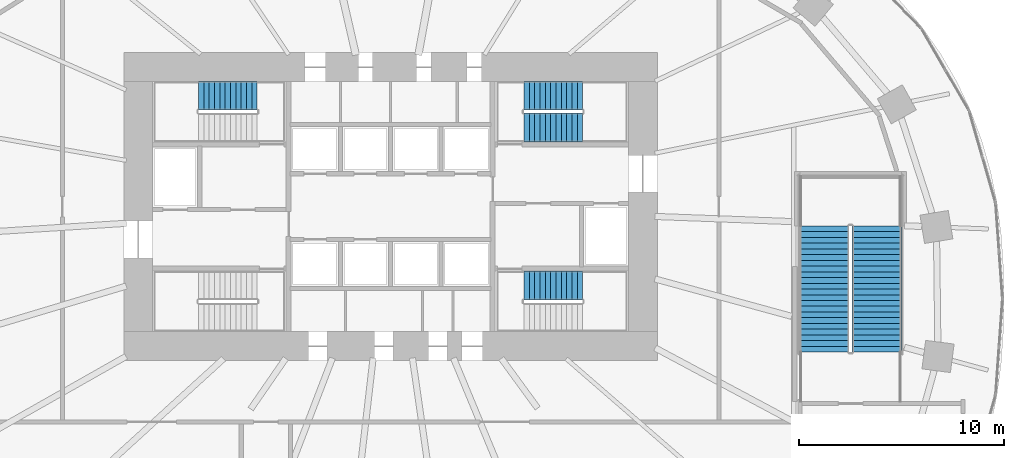
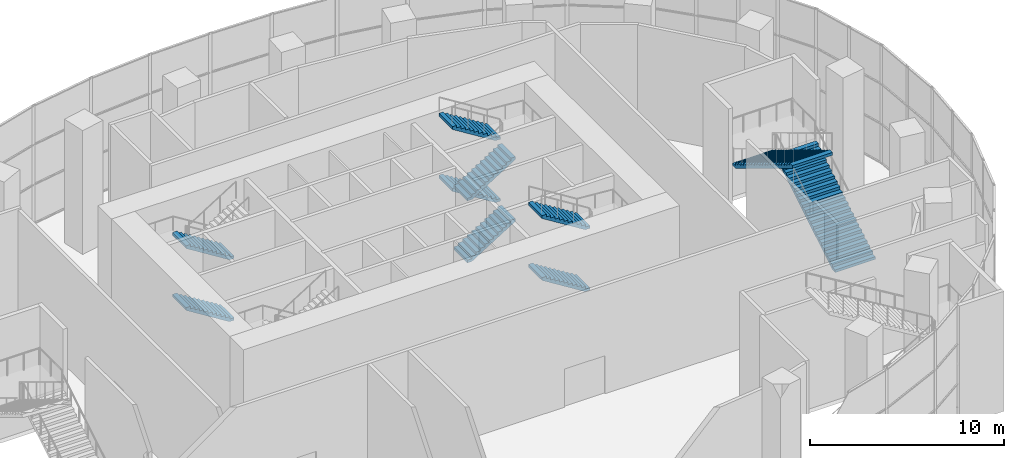
# One storey, part 17 of 22: 10 stair flights, 4 elements without a shape of their own.
"""IFC4 building model written with IfcOpenShell, lengths in metres."""

from ifc_helpers import new_model, si_unit, direction, frame, origin, place, context, subcontext, project, spatial, polyline, outline, extrude, material, type_object, element, aggregate, save


model = new_model("IFC4")

# Units and contexts
model_context = context("Model", 3, precision=1e-05, world=origin(), true_north=direction((0.0, 1.0)))
body_context = subcontext(model_context, "Body", "Model", "MODEL_VIEW")
ifc_project = project(units=[si_unit("LENGTHUNIT", "METRE"), si_unit("AREAUNIT", "SQUARE_METRE"), si_unit("VOLUMEUNIT", "CUBIC_METRE"), si_unit("PLANEANGLEUNIT", "RADIAN"), si_unit("MASSUNIT", "GRAM", prefix="KILO")], contexts=[model_context])

# Site, building, storey
site_placement = place(None, origin())
site = spatial("IfcSite", under=ifc_project, at=site_placement, CompositionType="ELEMENT")
building_placement = place(site_placement, origin())
building = spatial("IfcBuilding", under=site, at=building_placement, Name="Rubra Terraces Tower", CompositionType="ELEMENT")
storey_placement = place(building_placement, frame((0.0, 0.0, 15.0)))
storey = spatial("IfcBuildingStorey", under=building, at=storey_placement, Name="L02", CompositionType="ELEMENT", Elevation=15.0)

# Stair, stair flights
ifc_material_1 = material(Name="Concrete C40", Category="concrete")
stair_type_1 = type_object("IfcStairType", Name="Core stair 1400", PredefinedType="HALF_TURN_STAIR", material=ifc_material_1)
stair_1_placement = place(storey_placement, origin())
stair_1 = element("IfcStair", 1, at=stair_1_placement, inside=storey, type_object=stair_type_1, Name="L02 Exit stair S2", PredefinedType="HALF_TURN_STAIR")
stair_flight_type_1 = type_object("IfcStairFlightType", Name="Core stair flight 1400", PredefinedType="STRAIGHT", material=ifc_material_1)
stair_flight_1_placement = place(storey_placement, frame((-6.5, 9.89990234375, 0.0), z_axis=(0.0, 0.0, 1.0), x_axis=(-1.0, 0.0, 0.0)))
stair_flight_1 = element("IfcStairFlight", 2, at=stair_flight_1_placement, type_object=stair_flight_type_1, Name="S2 flight 1", NumberOfRisers=12, NumberOfTreads=11, PredefinedType="STRAIGHT", RiserHeight=0.1625, TreadLength=0.26, context=body_context, shape_type="SweptSolid", body=[
    extrude(outline(polyline([(0.0, 0.0), (0.0, 0.16259765625), (0.260009765625, 0.16259765625), (0.260009765625, 0.324951171875), (0.52001953125, 0.324951171875), (0.52001953125, 0.487548828125), (0.780029296875, 0.487548828125), (0.780029296875, 0.64990234375), (1.0400390625, 0.64990234375), (1.0400390625, 0.8125), (1.300048828125, 0.8125), (1.300048828125, 0.97509765625), (1.56005859375, 0.97509765625), (1.56005859375, 1.137451171875), (1.820068359375, 1.137451171875), (1.820068359375, 1.300048828125), (2.080078125, 1.300048828125), (2.080078125, 1.46240234375), (2.340087890625, 1.46240234375), (2.340087890625, 1.625), (2.60009765625, 1.625), (2.60009765625, 1.78759765625), (2.860107421875, 1.78759765625), (2.860107421875, 1.949951171875), (2.860107421875, 1.61083984375), (0.28271484375, 0.0), (0.0, 0.0)])), frame((0.0, 0.699951171875, 0.0), z_axis=(0.0, -1.0, 0.0), x_axis=(1.0, 0.0, 0.0)), (0.0, 0.0, 1.0), 1.39990234375),
])
stair_flight_2_placement = place(storey_placement, frame((-6.5, 9.89990234375, 3.89990234375), z_axis=(0.0, 0.0, 1.0), x_axis=(-1.0, 0.0, 0.0)))
stair_flight_2 = element("IfcStairFlight", 3, at=stair_flight_2_placement, type_object=stair_flight_type_1, Name="S2 flight 3", NumberOfRisers=12, NumberOfTreads=11, PredefinedType="STRAIGHT", RiserHeight=0.1625, TreadLength=0.26, context=body_context, shape_type="SweptSolid", body=[
    extrude(outline(polyline([(0.0, 0.0), (0.0, 0.16259765625), (0.260009765625, 0.16259765625), (0.260009765625, 0.324951171875), (0.52001953125, 0.324951171875), (0.52001953125, 0.487548828125), (0.780029296875, 0.487548828125), (0.780029296875, 0.64990234375), (1.0400390625, 0.64990234375), (1.0400390625, 0.8125), (1.300048828125, 0.8125), (1.300048828125, 0.97509765625), (1.56005859375, 0.97509765625), (1.56005859375, 1.137451171875), (1.820068359375, 1.137451171875), (1.820068359375, 1.300048828125), (2.080078125, 1.300048828125), (2.080078125, 1.46240234375), (2.340087890625, 1.46240234375), (2.340087890625, 1.625), (2.60009765625, 1.625), (2.60009765625, 1.78759765625), (2.860107421875, 1.78759765625), (2.860107421875, 1.949951171875), (2.860107421875, 1.61083984375), (0.28271484375, 0.0), (0.0, 0.0)])), frame((0.0, 0.699951171875, 0.0), z_axis=(0.0, -1.0, 0.0), x_axis=(1.0, 0.0, 0.0)), (0.0, 0.0, 1.0), 1.39990234375),
])
aggregate(stair_1, [stair_flight_1, stair_flight_2])

stair_2_placement = place(storey_placement, origin())
stair_2 = element("IfcStair", 4, at=stair_2_placement, inside=storey, type_object=stair_type_1, Name="L02 Exit stair S3", PredefinedType="HALF_TURN_STAIR")
stair_flight_3_placement = place(storey_placement, frame((6.5, 8.35009765625, 0.0), z_axis=(0.0, 0.0, 1.0), x_axis=(1.0, 0.0, 0.0)))
stair_flight_3 = element("IfcStairFlight", 5, at=stair_flight_3_placement, type_object=stair_flight_type_1, Name="S3 flight 1", NumberOfRisers=12, NumberOfTreads=11, PredefinedType="STRAIGHT", RiserHeight=0.1625, TreadLength=0.26, context=body_context, shape_type="SweptSolid", body=[
    extrude(outline(polyline([(0.0, 0.0), (0.0, 0.16259765625), (0.260009765625, 0.16259765625), (0.260009765625, 0.324951171875), (0.52001953125, 0.324951171875), (0.52001953125, 0.487548828125), (0.780029296875, 0.487548828125), (0.780029296875, 0.64990234375), (1.0400390625, 0.64990234375), (1.0400390625, 0.8125), (1.300048828125, 0.8125), (1.300048828125, 0.97509765625), (1.56005859375, 0.97509765625), (1.56005859375, 1.137451171875), (1.820068359375, 1.137451171875), (1.820068359375, 1.300048828125), (2.080078125, 1.300048828125), (2.080078125, 1.46240234375), (2.340087890625, 1.46240234375), (2.340087890625, 1.625), (2.60009765625, 1.625), (2.60009765625, 1.78759765625), (2.860107421875, 1.78759765625), (2.860107421875, 1.949951171875), (2.860107421875, 1.61083984375), (0.28271484375, 0.0), (0.0, 0.0)])), frame((0.0, 0.699951171875, 0.0), z_axis=(0.0, -1.0, 0.0), x_axis=(1.0, 0.0, 0.0)), (0.0, 0.0, 1.0), 1.39990234375),
])
stair_flight_4_placement = place(storey_placement, frame((9.360107421875, 9.89990234375, 1.949951171875), z_axis=(0.0, 0.0, 1.0), x_axis=(-1.0, 0.0, 0.0)))
stair_flight_4 = element("IfcStairFlight", 6, at=stair_flight_4_placement, type_object=stair_flight_type_1, Name="S3 flight 2", NumberOfRisers=12, NumberOfTreads=11, PredefinedType="STRAIGHT", RiserHeight=0.1625, TreadLength=0.26, context=body_context, shape_type="SweptSolid", body=[
    extrude(outline(polyline([(0.0, 0.0), (0.0, 0.16259765625), (0.260009765625, 0.16259765625), (0.260009765625, 0.324951171875), (0.52001953125, 0.324951171875), (0.52001953125, 0.487548828125), (0.780029296875, 0.487548828125), (0.780029296875, 0.64990234375), (1.0400390625, 0.64990234375), (1.0400390625, 0.8125), (1.300048828125, 0.8125), (1.300048828125, 0.97509765625), (1.56005859375, 0.97509765625), (1.56005859375, 1.137451171875), (1.820068359375, 1.137451171875), (1.820068359375, 1.300048828125), (2.080078125, 1.300048828125), (2.080078125, 1.46240234375), (2.340087890625, 1.46240234375), (2.340087890625, 1.625), (2.60009765625, 1.625), (2.60009765625, 1.78759765625), (2.860107421875, 1.78759765625), (2.860107421875, 1.949951171875), (2.860107421875, 1.61083984375), (0.28271484375, 0.0), (0.0, 0.0)])), frame((0.0, 0.699951171875, 0.0), z_axis=(0.0, -1.0, 0.0), x_axis=(1.0, 0.0, 0.0)), (0.0, 0.0, 1.0), 1.39990234375),
])
stair_flight_5_placement = place(storey_placement, frame((6.5, 8.35009765625, 3.89990234375), z_axis=(0.0, 0.0, 1.0), x_axis=(1.0, 0.0, 0.0)))
stair_flight_5 = element("IfcStairFlight", 7, at=stair_flight_5_placement, type_object=stair_flight_type_1, Name="S3 flight 3", NumberOfRisers=12, NumberOfTreads=11, PredefinedType="STRAIGHT", RiserHeight=0.1625, TreadLength=0.26, context=body_context, shape_type="SweptSolid", body=[
    extrude(outline(polyline([(0.0, 0.0), (0.0, 0.16259765625), (0.260009765625, 0.16259765625), (0.260009765625, 0.324951171875), (0.52001953125, 0.324951171875), (0.52001953125, 0.487548828125), (0.780029296875, 0.487548828125), (0.780029296875, 0.64990234375), (1.0400390625, 0.64990234375), (1.0400390625, 0.8125), (1.300048828125, 0.8125), (1.300048828125, 0.97509765625), (1.56005859375, 0.97509765625), (1.56005859375, 1.137451171875), (1.820068359375, 1.137451171875), (1.820068359375, 1.300048828125), (2.080078125, 1.300048828125), (2.080078125, 1.46240234375), (2.340087890625, 1.46240234375), (2.340087890625, 1.625), (2.60009765625, 1.625), (2.60009765625, 1.78759765625), (2.860107421875, 1.78759765625), (2.860107421875, 1.949951171875), (2.860107421875, 1.61083984375), (0.28271484375, 0.0), (0.0, 0.0)])), frame((0.0, 0.699951171875, 0.0), z_axis=(0.0, -1.0, 0.0), x_axis=(1.0, 0.0, 0.0)), (0.0, 0.0, 1.0), 1.39990234375),
])
stair_flight_6_placement = place(storey_placement, frame((9.360107421875, 9.89990234375, 5.85009765625), z_axis=(0.0, 0.0, 1.0), x_axis=(-1.0, 0.0, 0.0)))
stair_flight_6 = element("IfcStairFlight", 8, at=stair_flight_6_placement, type_object=stair_flight_type_1, Name="S3 flight 4", NumberOfRisers=12, NumberOfTreads=11, PredefinedType="STRAIGHT", RiserHeight=0.1625, TreadLength=0.26, context=body_context, shape_type="SweptSolid", body=[
    extrude(outline(polyline([(0.0, 0.0), (0.0, 0.16259765625), (0.260009765625, 0.16259765625), (0.260009765625, 0.324951171875), (0.52001953125, 0.324951171875), (0.52001953125, 0.487548828125), (0.780029296875, 0.487548828125), (0.780029296875, 0.64990234375), (1.0400390625, 0.64990234375), (1.0400390625, 0.8125), (1.300048828125, 0.8125), (1.300048828125, 0.97509765625), (1.56005859375, 0.97509765625), (1.56005859375, 1.137451171875), (1.820068359375, 1.137451171875), (1.820068359375, 1.300048828125), (2.080078125, 1.300048828125), (2.080078125, 1.46240234375), (2.340087890625, 1.46240234375), (2.340087890625, 1.625), (2.60009765625, 1.625), (2.60009765625, 1.78759765625), (2.860107421875, 1.78759765625), (2.860107421875, 1.949951171875), (2.860107421875, 1.61083984375), (0.28271484375, 0.0), (0.0, 0.0)])), frame((0.0, 0.699951171875, 0.0), z_axis=(0.0, -1.0, 0.0), x_axis=(1.0, 0.0, 0.0)), (0.0, 0.0, 1.0), 1.39990234375),
])
aggregate(stair_2, [stair_flight_3, stair_flight_4, stair_flight_5, stair_flight_6])

stair_3_placement = place(storey_placement, origin())
stair_3 = element("IfcStair", 9, at=stair_3_placement, inside=storey, type_object=stair_type_1, Name="L02 Exit stair S4", PredefinedType="HALF_TURN_STAIR")
stair_flight_7_placement = place(storey_placement, frame((9.360107421875, 0.64990234375, 1.949951171875), z_axis=(0.0, 0.0, 1.0), x_axis=(-1.0, 0.0, 0.0)))
stair_flight_7 = element("IfcStairFlight", 10, at=stair_flight_7_placement, type_object=stair_flight_type_1, Name="S4 flight 2", NumberOfRisers=12, NumberOfTreads=11, PredefinedType="STRAIGHT", RiserHeight=0.1625, TreadLength=0.26, context=body_context, shape_type="SweptSolid", body=[
    extrude(outline(polyline([(0.0, 0.0), (0.0, 0.16259765625), (0.260009765625, 0.16259765625), (0.260009765625, 0.324951171875), (0.52001953125, 0.324951171875), (0.52001953125, 0.487548828125), (0.780029296875, 0.487548828125), (0.780029296875, 0.64990234375), (1.0400390625, 0.64990234375), (1.0400390625, 0.8125), (1.300048828125, 0.8125), (1.300048828125, 0.97509765625), (1.56005859375, 0.97509765625), (1.56005859375, 1.137451171875), (1.820068359375, 1.137451171875), (1.820068359375, 1.300048828125), (2.080078125, 1.300048828125), (2.080078125, 1.46240234375), (2.340087890625, 1.46240234375), (2.340087890625, 1.625), (2.60009765625, 1.625), (2.60009765625, 1.78759765625), (2.860107421875, 1.78759765625), (2.860107421875, 1.949951171875), (2.860107421875, 1.61083984375), (0.28271484375, 0.0), (0.0, 0.0)])), frame((0.0, 0.699951171875, 0.0), z_axis=(0.0, -1.0, 0.0), x_axis=(1.0, 0.0, 0.0)), (0.0, 0.0, 1.0), 1.39990234375),
])
stair_flight_8_placement = place(storey_placement, frame((9.360107421875, 0.64990234375, 5.85009765625), z_axis=(0.0, 0.0, 1.0), x_axis=(-1.0, 0.0, 0.0)))
stair_flight_8 = element("IfcStairFlight", 11, at=stair_flight_8_placement, type_object=stair_flight_type_1, Name="S4 flight 4", NumberOfRisers=12, NumberOfTreads=11, PredefinedType="STRAIGHT", RiserHeight=0.1625, TreadLength=0.26, context=body_context, shape_type="SweptSolid", body=[
    extrude(outline(polyline([(0.0, 0.0), (0.0, 0.16259765625), (0.260009765625, 0.16259765625), (0.260009765625, 0.324951171875), (0.52001953125, 0.324951171875), (0.52001953125, 0.487548828125), (0.780029296875, 0.487548828125), (0.780029296875, 0.64990234375), (1.0400390625, 0.64990234375), (1.0400390625, 0.8125), (1.300048828125, 0.8125), (1.300048828125, 0.97509765625), (1.56005859375, 0.97509765625), (1.56005859375, 1.137451171875), (1.820068359375, 1.137451171875), (1.820068359375, 1.300048828125), (2.080078125, 1.300048828125), (2.080078125, 1.46240234375), (2.340087890625, 1.46240234375), (2.340087890625, 1.625), (2.60009765625, 1.625), (2.60009765625, 1.78759765625), (2.860107421875, 1.78759765625), (2.860107421875, 1.949951171875), (2.860107421875, 1.61083984375), (0.28271484375, 0.0), (0.0, 0.0)])), frame((0.0, 0.699951171875, 0.0), z_axis=(0.0, -1.0, 0.0), x_axis=(1.0, 0.0, 0.0)), (0.0, 0.0, 1.0), 1.39990234375),
])
aggregate(stair_3, [stair_flight_7, stair_flight_8])

ifc_material_2 = material(Name="Concrete C40/50", Category="concrete")
stair_type_2 = type_object("IfcStairType", Name="Public stair", PredefinedType="HALF_TURN_STAIR", material=ifc_material_2)
stair_4_placement = place(storey_placement, origin())
stair_4 = element("IfcStair", 12, at=stair_4_placement, inside=storey, type_object=stair_type_2, Name="L02 public stair PS2", PredefinedType="HALF_TURN_STAIR")
stair_flight_type_2 = type_object("IfcStairFlightType", Name="Public stair flight 2400", PredefinedType="STRAIGHT", material=ifc_material_2)
stair_flight_9_placement = place(storey_placement, frame((23.699951171875, -2.60009765625, 0.0), z_axis=(0.0, 0.0, 1.0), x_axis=(0.0, 1.0, 0.0)))
stair_flight_9 = element("IfcStairFlight", 13, at=stair_flight_9_placement, type_object=stair_flight_type_2, Name="PS2 flight 1", NumberOfRisers=23, NumberOfTreads=22, PredefinedType="STRAIGHT", RiserHeight=0.169565217, TreadLength=0.28, context=body_context, shape_type="SweptSolid", body=[
    extrude(outline(polyline([(0.0, 0.0), (0.0, 0.169677734375), (0.280029296875, 0.169677734375), (0.280029296875, 0.339111328125), (0.56005859375, 0.339111328125), (0.56005859375, 0.5087890625), (0.840087890625, 0.5087890625), (0.840087890625, 0.67822265625), (1.1201171875, 0.67822265625), (1.1201171875, 0.847900390625), (1.39990234375, 0.847900390625), (1.39990234375, 1.017333984375), (1.679931640625, 1.017333984375), (1.679931640625, 1.18701171875), (1.9599609375, 1.18701171875), (1.9599609375, 1.3564453125), (2.239990234375, 1.3564453125), (2.239990234375, 1.526123046875), (2.52001953125, 1.526123046875), (2.52001953125, 1.695556640625), (2.800048828125, 1.695556640625), (2.800048828125, 1.865234375), (3.080078125, 1.865234375), (3.080078125, 2.03466796875), (3.360107421875, 2.03466796875), (3.360107421875, 2.204345703125), (3.639892578125, 2.204345703125), (3.639892578125, 2.3740234375), (3.919921875, 2.3740234375), (3.919921875, 2.54345703125), (4.199951171875, 2.54345703125), (4.199951171875, 2.713134765625), (4.47998046875, 2.713134765625), (4.47998046875, 2.882568359375), (4.760009765625, 2.882568359375), (4.760009765625, 3.05224609375), (5.0400390625, 3.05224609375), (5.0400390625, 3.2216796875), (5.320068359375, 3.2216796875), (5.320068359375, 3.391357421875), (5.60009765625, 3.391357421875), (5.60009765625, 3.560791015625), (5.8798828125, 3.560791015625), (5.8798828125, 3.73046875), (6.159912109375, 3.73046875), (6.159912109375, 3.89990234375), (6.159912109375, 3.55517578125), (0.289306640625, 0.0), (0.0, 0.0)])), frame((0.0, 1.199951171875, 0.0), z_axis=(0.0, -1.0, 0.0), x_axis=(1.0, 0.0, 0.0)), (0.0, 0.0, 1.0), 2.39990234375),
])
stair_flight_10_placement = place(storey_placement, frame((21.14990234375, 3.56005859375, 3.89990234375), z_axis=(0.0, 0.0, 1.0), x_axis=(0.0, -1.0, 0.0)))
stair_flight_10 = element("IfcStairFlight", 14, at=stair_flight_10_placement, type_object=stair_flight_type_2, Name="PS2 flight 2", NumberOfRisers=23, NumberOfTreads=22, PredefinedType="STRAIGHT", RiserHeight=0.169565217, TreadLength=0.28, context=body_context, shape_type="SweptSolid", body=[
    extrude(outline(polyline([(0.0, 0.0), (0.0, 0.169677734375), (0.280029296875, 0.169677734375), (0.280029296875, 0.339111328125), (0.56005859375, 0.339111328125), (0.56005859375, 0.5087890625), (0.840087890625, 0.5087890625), (0.840087890625, 0.67822265625), (1.1201171875, 0.67822265625), (1.1201171875, 0.847900390625), (1.39990234375, 0.847900390625), (1.39990234375, 1.017333984375), (1.679931640625, 1.017333984375), (1.679931640625, 1.18701171875), (1.9599609375, 1.18701171875), (1.9599609375, 1.3564453125), (2.239990234375, 1.3564453125), (2.239990234375, 1.526123046875), (2.52001953125, 1.526123046875), (2.52001953125, 1.695556640625), (2.800048828125, 1.695556640625), (2.800048828125, 1.865234375), (3.080078125, 1.865234375), (3.080078125, 2.03466796875), (3.360107421875, 2.03466796875), (3.360107421875, 2.204345703125), (3.639892578125, 2.204345703125), (3.639892578125, 2.3740234375), (3.919921875, 2.3740234375), (3.919921875, 2.54345703125), (4.199951171875, 2.54345703125), (4.199951171875, 2.713134765625), (4.47998046875, 2.713134765625), (4.47998046875, 2.882568359375), (4.760009765625, 2.882568359375), (4.760009765625, 3.05224609375), (5.0400390625, 3.05224609375), (5.0400390625, 3.2216796875), (5.320068359375, 3.2216796875), (5.320068359375, 3.391357421875), (5.60009765625, 3.391357421875), (5.60009765625, 3.560791015625), (5.8798828125, 3.560791015625), (5.8798828125, 3.73046875), (6.159912109375, 3.73046875), (6.159912109375, 3.89990234375), (6.159912109375, 3.55517578125), (0.289306640625, 0.0), (0.0, 0.0)])), frame((0.0, 1.199951171875, 0.0), z_axis=(0.0, -1.0, 0.0), x_axis=(1.0, 0.0, 0.0)), (0.0, 0.0, 1.0), 2.39990234375),
])
aggregate(stair_4, [stair_flight_9, stair_flight_10])

save(model, "model.ifc")
